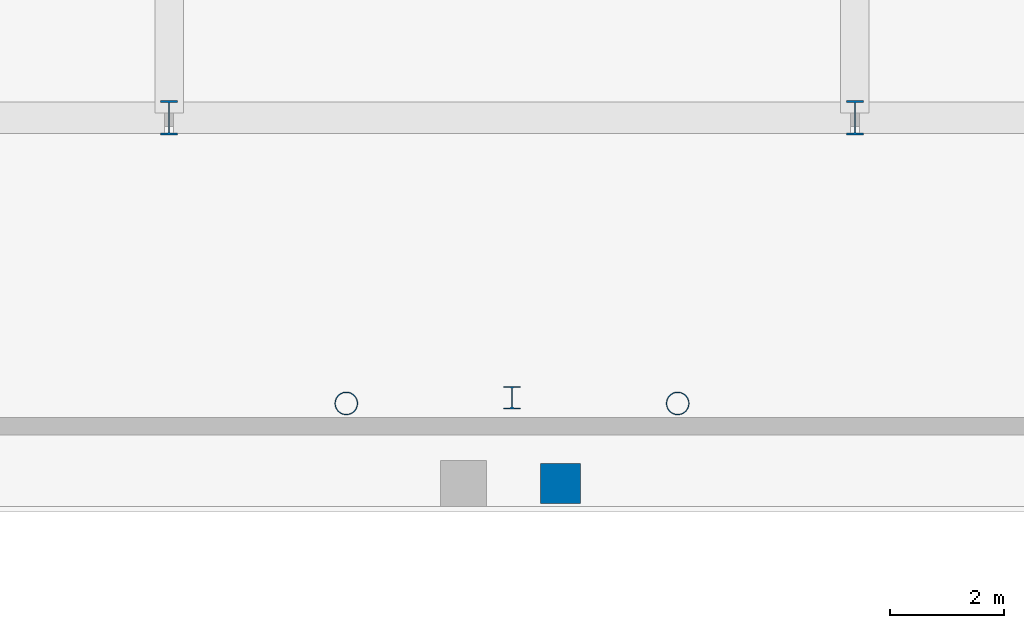
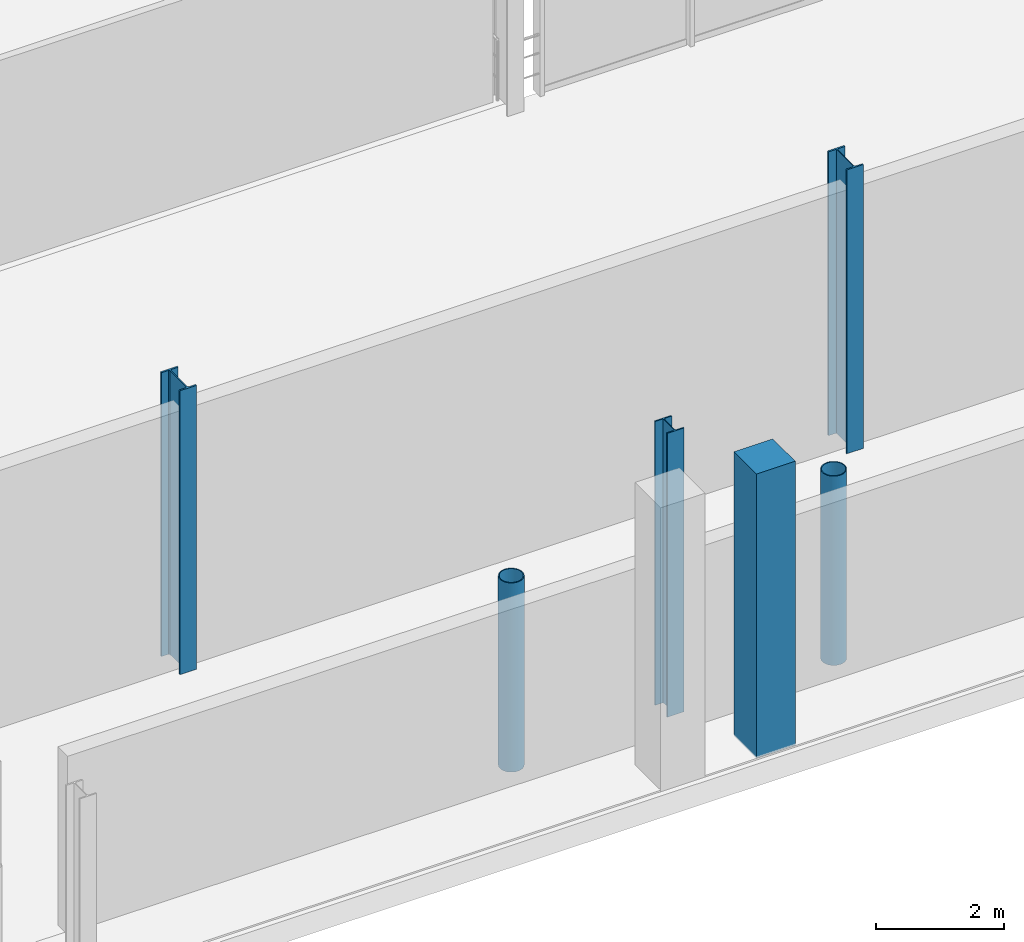
# One storey, part 4 of 85: 6 columns.
"""IFC4 building model written with IfcOpenShell, lengths in metres."""

from ifc_helpers import new_model, si_unit, direction, frame, origin, origin_2d, place, context, subcontext, project, spatial, rectangle, hollow_circle, i_section, extrude, material, material_profile, profile_set, type_object, element, save


model = new_model("IFC4")

# Units and contexts
model_context = context("Model", 3, precision=1e-05, world=origin(), true_north=direction((0.0, 1.0)))
body_context = subcontext(model_context, "Body", "Model", "MODEL_VIEW")
ifc_project = project(units=[si_unit("LENGTHUNIT", "METRE"), si_unit("AREAUNIT", "SQUARE_METRE"), si_unit("VOLUMEUNIT", "CUBIC_METRE"), si_unit("PLANEANGLEUNIT", "RADIAN"), si_unit("MASSUNIT", "GRAM", prefix="KILO"), si_unit("THERMODYNAMICTEMPERATUREUNIT", "KELVIN"), si_unit("POWERUNIT", "WATT")], contexts=[model_context])

# Site, building, storey
site_placement = place(None, origin())
site = spatial("IfcSite", under=ifc_project, at=site_placement, CompositionType="ELEMENT")
building_placement = place(site_placement, origin())
building = spatial("IfcBuilding", under=site, at=building_placement, Name="Solmara Park Aquatics Centre", CompositionType="ELEMENT")
storey_placement = place(building_placement, origin())
storey = spatial("IfcBuildingStorey", under=building, at=storey_placement, Name="L00", CompositionType="ELEMENT", Elevation=0.0)

# Columns
ifc_material_1 = material(Name="Structural Steel S355", Category="steel")
ifc_material_profile_1 = material_profile(ifc_material_1, hollow_circle(Radius=0.203125, WallThickness=0.01611328125, at=origin_2d()), Name="CHS 406.4x16")
ifc_profile_set_1 = profile_set([ifc_material_profile_1], Name="Structural Steel S355")
column_type_1 = type_object("IfcColumnType", Name="STR-COL-CHS406", PredefinedType="COLUMN", material=ifc_profile_set_1)
for number, where, z_axis, x_axis, name in (
    (1, (51.699951171875, 57.0, 0.0), (0.0, 0.0, 1.0), (1.0, 0.0, 0.0), "Upper Stand Front Column L00 N1-2"),
    (2, (57.5, 57.0, 0.0), (0.0, 0.0, 1.0), (1.0, 0.0, 0.0), "Upper Stand Front Column L00 N2-1"),
):
    element("IfcColumn", number, at=place(storey_placement, frame(where, z_axis=z_axis, x_axis=x_axis)), inside=storey, type_object=column_type_1, Name=name, PredefinedType="COLUMN", context=body_context, shape_type="SweptSolid", body=[
        extrude(hollow_circle(Radius=0.203125, WallThickness=0.01611328125, at=origin_2d()), origin(), (0.0, 0.0, 1.0), 3.60009765625),
    ])
ifc_material_profile_2 = material_profile(ifc_material_1, i_section(OverallWidth=0.300048828125, OverallDepth=0.39990234375, WebThickness=0.013427734375, FlangeThickness=0.02392578125, FilletRadius=0.027099609375, at=origin_2d()), Name="HEB 400")
ifc_profile_set_2 = profile_set([ifc_material_profile_2], Name="Structural Steel S355")
column_type_2 = type_object("IfcColumnType", Name="STR-COL-HEB400", PredefinedType="COLUMN", material=ifc_profile_set_2)
column_1_placement = place(storey_placement, frame((54.60009765625, 57.10009765625, 0.0), z_axis=(0.0, 0.0, 1.0), x_axis=(1.0, 0.0, 0.0)))
element("IfcColumn", 3, at=column_1_placement, inside=storey, type_object=column_type_2, Name="Vomitory Stair VS-05 Support Column L00-3", PredefinedType="COLUMN", context=body_context, shape_type="SweptSolid", body=[
    extrude(i_section(OverallWidth=0.300048828125, OverallDepth=0.39990234375, WebThickness=0.013427734375, FlangeThickness=0.02392578125, FilletRadius=0.027099609375, at=origin_2d()), origin(), (0.0, 0.0, 1.0), 5.39990234375),
])
ifc_material_profile_3 = material_profile(ifc_material_1, i_section(OverallWidth=0.300048828125, OverallDepth=0.60009765625, WebThickness=0.015380859375, FlangeThickness=0.030029296875, FilletRadius=0.027099609375, at=origin_2d()), Name="HEB 600")
ifc_profile_set_3 = profile_set([ifc_material_profile_3], Name="Structural Steel S355")
column_type_3 = type_object("IfcColumnType", Name="STR-COL-HEB600", PredefinedType="COLUMN", material=ifc_profile_set_3)
for number, where, z_axis, x_axis, name in (
    (4, (48.60009765625, 62.0, 0.0), (0.0, 0.0, 1.0), (1.0, 0.0, 0.0), "Column L00-0191"),
    (5, (60.60009765625, 62.0, 0.0), (0.0, 0.0, 1.0), (1.0, 0.0, 0.0), "Column L00-0205"),
):
    element("IfcColumn", number, at=place(storey_placement, frame(where, z_axis=z_axis, x_axis=x_axis)), inside=storey, type_object=column_type_3, Name=name, PredefinedType="COLUMN", context=body_context, shape_type="SweptSolid", body=[
        extrude(i_section(OverallWidth=0.300048828125, OverallDepth=0.60009765625, WebThickness=0.015380859375, FlangeThickness=0.030029296875, FilletRadius=0.027099609375, at=origin_2d()), origin(), (0.0, 0.0, 1.0), 5.39990234375),
    ])
ifc_material_2 = material(Name="Concrete C40/50", Category="concrete")
ifc_material_profile_4 = material_profile(ifc_material_2, rectangle(XDim=0.699951171875, YDim=0.699951171875, at=origin_2d()), Name="RC 700x700")
ifc_profile_set_4 = profile_set([ifc_material_profile_4], Name="Concrete C40/50")
column_type_4 = type_object("IfcColumnType", Name="STR-COL-RC700", PredefinedType="COLUMN", material=ifc_profile_set_4)
column_2_placement = place(storey_placement, frame((55.449951171875, 55.60009765625, 0.0), z_axis=(0.0, 0.0, 1.0), x_axis=(1.0, 0.0, 0.0)))
element("IfcColumn", 6, at=column_2_placement, inside=storey, type_object=column_type_4, Name="Column L00-0202", PredefinedType="COLUMN", context=body_context, shape_type="SweptSolid", body=[
    extrude(rectangle(XDim=0.699951171875, YDim=0.699951171875, at=origin_2d()), origin(), (0.0, 0.0, 1.0), 5.39990234375),
])

save(model, "model.ifc")
